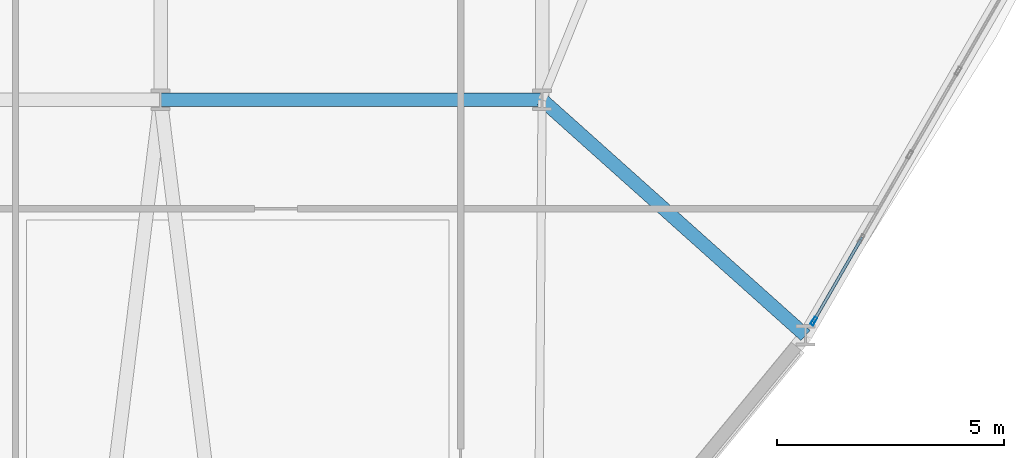
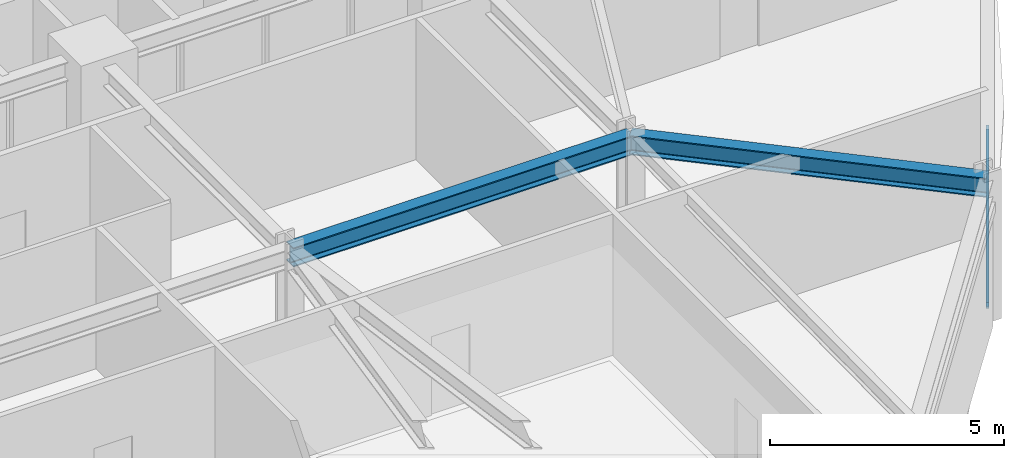
# One storey, part 6 of 22: 4 members, 2 beams, 1 element without a shape of its own.
"""IFC4 building model written with IfcOpenShell, lengths in metres."""

from ifc_helpers import new_model, si_unit, derived_unit, direction, frame, origin, origin_2d, place, context, subcontext, project, spatial, hollow_rectangle, i_section, extrude, source, transform, mapped, material, layer, layer_set, material_profile, profile_set, type_object, element, aggregate, save


model = new_model("IFC4")

# Units and contexts
model_context = context("Model", 3, precision=1e-05, world=origin(), true_north=direction((0.0, 1.0)))
body_context = subcontext(model_context, "Body", "Model", "MODEL_VIEW")
ifc_project = project(units=[si_unit("LENGTHUNIT", "METRE"), si_unit("AREAUNIT", "SQUARE_METRE"), si_unit("VOLUMEUNIT", "CUBIC_METRE"), si_unit("PLANEANGLEUNIT", "RADIAN"), si_unit("MASSUNIT", "GRAM", prefix="KILO"), derived_unit("THERMALTRANSMITTANCEUNIT", [(si_unit("POWERUNIT", "WATT"), 1), (si_unit("LENGTHUNIT", "METRE"), -2), (si_unit("THERMODYNAMICTEMPERATUREUNIT", "KELVIN"), -1)])], contexts=[model_context])

# Site, building, storey
site_placement = place(None, origin())
site = spatial("IfcSite", under=ifc_project, at=site_placement, CompositionType="ELEMENT")
building_placement = place(site_placement, origin())
building = spatial("IfcBuilding", under=site, at=building_placement, Name="Korsvarv Bourse and Concert Hall", CompositionType="ELEMENT")
storey_placement = place(building_placement, frame((0.0, 0.0, 51.300048828125)))
storey = spatial("IfcBuildingStorey", under=building, at=storey_placement, Name="L12", CompositionType="ELEMENT", Elevation=51.300048828125)

# Beams
ifc_material_1 = material(Name="Steel S355", Category="steel")
ifc_material_profile_1 = material_profile(ifc_material_1, i_section(OverallWidth=0.300048828125, OverallDepth=0.5, WebThickness=0.014404296875, FlangeThickness=0.028076171875, FilletRadius=0.02392578125, at=origin_2d()), Name="HEB 500")
ifc_profile_set_1 = profile_set([ifc_material_profile_1], Name="Steel S355")
beam_type = type_object("IfcBeamType", Name="BM-HEB500", PredefinedType="BEAM", material=ifc_profile_set_1)
shared_shape_1 = source(origin(), body_context, "Body", "SweptSolid", [
    extrude(i_section(OverallWidth=0.300048828125, OverallDepth=0.5, WebThickness=0.014404296875, FlangeThickness=0.028076171875, FilletRadius=0.02392578125, at=origin_2d()), origin(), (0.0, 0.0, 1.0), 8.39990234375),
])
beam_1_placement = place(storey_placement, frame((36.0, 24.0, 3.429931640625), z_axis=(1.0, 0.0, 0.0), x_axis=(0.0, 1.0, 0.0)))
element("IfcBeam", 1, at=beam_1_placement, inside=storey, type_object=beam_type, Name="L12 beam B-07", PredefinedType="BEAM", context=body_context, shape_type="MappedRepresentation", body=[
    mapped(shared_shape_1, transform((0.0, 0.0, 0.0), scale=1.0)),
])
shared_shape_2 = source(origin(), body_context, "Body", "SweptSolid", [
    extrude(i_section(OverallWidth=0.300048828125, OverallDepth=0.5, WebThickness=0.014404296875, FlangeThickness=0.028076171875, FilletRadius=0.02392578125, at=origin_2d()), origin(), (0.0, 0.0, 1.0), 7.77978515625),
])
beam_2_placement = place(storey_placement, frame((50.198486328125, 18.8134765625, 3.429931640625), z_axis=(-0.745348822667, 0.666674682697, 0.0), x_axis=(-0.666674682697, -0.745348822667, 0.0)))
element("IfcBeam", 2, at=beam_2_placement, inside=storey, type_object=beam_type, Name="L12 beam B-07", PredefinedType="BEAM", context=body_context, shape_type="MappedRepresentation", body=[
    mapped(shared_shape_2, transform((0.0, 0.0, 0.0), scale=1.0)),
])

# Curtain wall, members
ifc_material_2 = material(Name="Anodised aluminium and triple low-E glazing", Category="glass")
ifc_layer = layer(ifc_material_2, 0.219970703125)
ifc_layer_set = layer_set([ifc_layer], Name="Anodised aluminium and triple low-E glazing")
curtain_wall_type = type_object("IfcCurtainWallType", Name="CW-SYS-1", PredefinedType="NOTDEFINED", material=ifc_layer_set)
curtain_wall_placement = place(storey_placement, origin())
curtain_wall = element("IfcCurtainWall", 3, at=curtain_wall_placement, inside=storey, type_object=curtain_wall_type, Name="L12 CW1 curtain wall CW-L12-F11", PredefinedType="NOTDEFINED")
ifc_material_3 = material(Name="Extruded aluminium EN AW-6063 T66", Category="aluminium")
ifc_material_profile_2 = material_profile(ifc_material_3, hollow_rectangle(XDim=0.070068359375, YDim=0.18994140625, WallThickness=0.0048828125, at=origin_2d()), Name="ALU-M 70x190")
ifc_profile_set_2 = profile_set([ifc_material_profile_2], Name="Extruded aluminium EN AW-6063 T66")
member_type_1 = type_object("IfcMemberType", Name="CWM-190", PredefinedType="MULLION", material=ifc_profile_set_2)
shared_shape_3 = source(origin(), body_context, "Body", "SweptSolid", [
    extrude(hollow_rectangle(XDim=0.070068359375, YDim=0.18994140625, WallThickness=0.0048828125, at=origin_2d()), origin(), (0.0, 0.0, 1.0), 3.22998046875),
])
member_1_placement = place(storey_placement, frame((50.381591796875, 19.130859375, 0.0), z_axis=(0.0, 0.0, 1.0), x_axis=(-0.866025499647, 0.499999833962, 0.0)))
member_1 = element("IfcMember", 4, at=member_1_placement, type_object=member_type_1, Name="CW1 mullion 1", PredefinedType="MULLION", context=body_context, shape_type="MappedRepresentation", body=[
    mapped(shared_shape_3, transform((0.0, 0.0, 0.0), scale=1.0)),
])
ifc_material_profile_3 = material_profile(ifc_material_3, hollow_rectangle(XDim=0.06494140625, YDim=0.139892578125, WallThickness=0.00390625, at=origin_2d()), Name="ALU-T 65x140")
ifc_profile_set_3 = profile_set([ifc_material_profile_3], Name="Extruded aluminium EN AW-6063 T66")
member_type_2 = type_object("IfcMemberType", Name="CWT-140", PredefinedType="USERDEFINED", material=ifc_profile_set_3)
shared_shape_4 = source(origin(), body_context, "Body", "SweptSolid", [
    extrude(hollow_rectangle(XDim=0.06494140625, YDim=0.139892578125, WallThickness=0.00390625, at=origin_2d()), origin(), (0.0, 0.0, 1.0), 2.0244140625),
])
member_2_placement = place(storey_placement, frame((50.399169921875, 19.1611328125, 0.032470703125), z_axis=(0.500004315964, 0.866022911947, 0.0), x_axis=(-0.866022911947, 0.500004315964, 0.0)))
member_2 = element("IfcMember", 5, at=member_2_placement, type_object=member_type_2, Name="CW1 transom 1.1", ObjectType="TRANSOM", PredefinedType="USERDEFINED", context=body_context, shape_type="MappedRepresentation", body=[
    mapped(shared_shape_4, transform((0.0, 0.0, 0.0), scale=1.0)),
])
member_3_placement = place(storey_placement, frame((50.399169921875, 19.1611328125, 3.197509765625), z_axis=(0.500004315964, 0.866022911947, 0.0), x_axis=(-0.866022911947, 0.500004315964, 0.0)))
member_3 = element("IfcMember", 6, at=member_3_placement, type_object=member_type_2, Name="CW1 transom 1.2", ObjectType="TRANSOM", PredefinedType="USERDEFINED", context=body_context, shape_type="MappedRepresentation", body=[
    mapped(shared_shape_4, transform((0.0, 0.0, 0.0), scale=1.0)),
])
ifc_material_profile_4 = material_profile(ifc_material_3, hollow_rectangle(XDim=0.06494140625, YDim=0.1650390625, WallThickness=0.0048828125, at=origin_2d()), Name="ALU-M 65x165")
ifc_profile_set_4 = profile_set([ifc_material_profile_4], Name="Extruded aluminium EN AW-6063 T66")
member_type_3 = type_object("IfcMemberType", Name="CWM-165", PredefinedType="MULLION", material=ifc_profile_set_4)
shared_shape_5 = source(origin(), body_context, "Body", "SweptSolid", [
    extrude(hollow_rectangle(XDim=0.06494140625, YDim=0.1650390625, WallThickness=0.0048828125, at=origin_2d()), origin(), (0.0, 0.0, 1.0), 3.70263671875),
])
member_4_placement = place(storey_placement, frame((50.399169921875, 19.1611328125, 0.06494140625), z_axis=(0.273381948826, 0.473505975524, 0.837289914664), x_axis=(-0.866022911947, 0.500004315964, 0.0)))
member_4 = element("IfcMember", 7, at=member_4_placement, type_object=member_type_3, Name="CW1 diagonal mullion 1", PredefinedType="MULLION", context=body_context, shape_type="MappedRepresentation", body=[
    mapped(shared_shape_5, transform((0.0, 0.0, 0.0), scale=1.0)),
])
aggregate(curtain_wall, [member_1, member_2, member_3, member_4])

save(model, "model.ifc")
